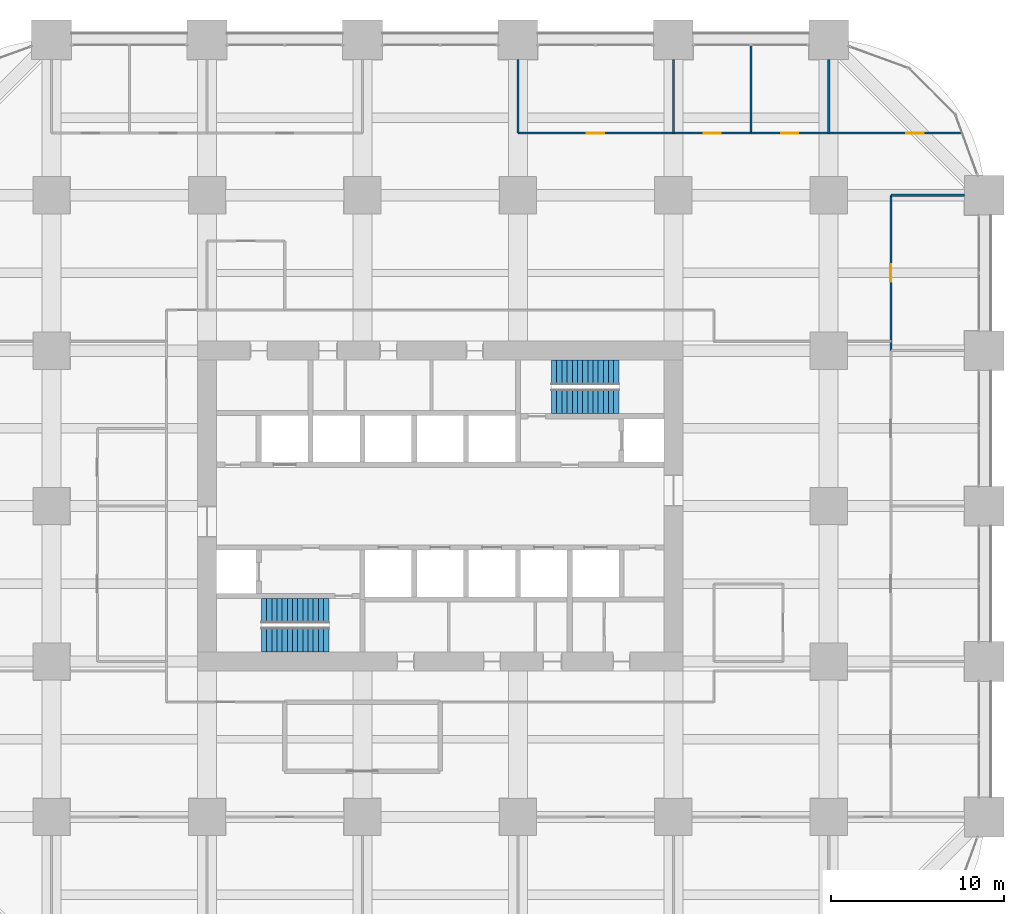
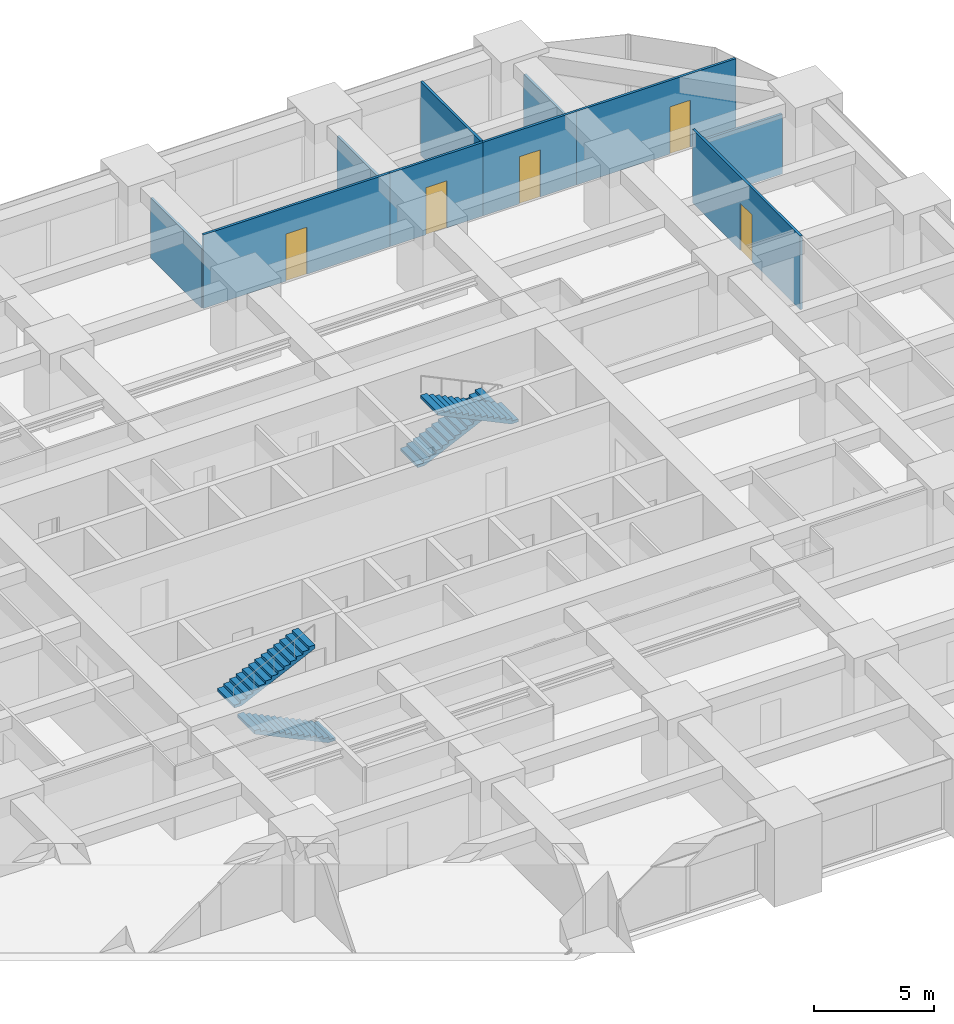
# One storey, part 42 of 44: 10 walls, 5 doors, 4 stair flights, 5 openings, 2 elements without a shape of their own.
"""IFC4 building model written with IfcOpenShell, lengths in metres."""

from ifc_helpers import new_model, si_unit, direction, frame, frame_2d, origin, place, context, subcontext, project, spatial, polyline, rectangle, outline, extrude, material, layer, layer_set, type_object, element, fill, aggregate, save


model = new_model("IFC4")

# Units and contexts
model_context = context("Model", 3, precision=1e-05, world=origin(), true_north=direction((0.0, 1.0)))
body_context = subcontext(model_context, "Body", "Model", "MODEL_VIEW")
ifc_project = project(units=[si_unit("LENGTHUNIT", "METRE"), si_unit("AREAUNIT", "SQUARE_METRE"), si_unit("VOLUMEUNIT", "CUBIC_METRE"), si_unit("PLANEANGLEUNIT", "RADIAN"), si_unit("MASSUNIT", "GRAM", prefix="KILO")], contexts=[model_context])

# Site, building, storey
site_placement = place(None, origin())
site = spatial("IfcSite", under=ifc_project, at=site_placement, CompositionType="ELEMENT")
building_placement = place(site_placement, origin())
building = spatial("IfcBuilding", under=site, at=building_placement, Name="Zorevar Civic Tower", CompositionType="ELEMENT")
storey_placement = place(building_placement, frame((0.0, 0.0, 51.800048828125)))
storey = spatial("IfcBuildingStorey", under=building, at=storey_placement, Name="L12", CompositionType="ELEMENT", Elevation=51.800048828125)

# Wall
ifc_material_1 = material(Name="Gypsum board on steel studs", Category="steel")
ifc_layer = layer(ifc_material_1, 0.1201171875)
ifc_layer_set = layer_set([ifc_layer], Name="Partition 120")
wall_type = type_object("IfcWallType", Name="Partition 120", PredefinedType="PARTITIONING", material=ifc_layer_set)
wall_1_placement = place(storey_placement, frame((57.60009765625, 45.0, 0.0), z_axis=(0.0, 0.0, 1.0), x_axis=(1.0, 0.0, 0.0)))
element("IfcWall", 1, at=wall_1_placement, inside=storey, type_object=wall_type, Name="Partition 120 L12", PredefinedType="PARTITIONING", context=body_context, shape_type="SweptSolid", body=[
    extrude(rectangle(XDim=4.25, YDim=0.1201171875, at=frame_2d((2.125, 0.0))), origin(), (0.0, 0.0, 1.0), 3.050048828125),
])

# Wall, opening, door
wall_2_placement = place(storey_placement, frame((36.0, 48.60009765625, 0.0), z_axis=(0.0, 0.0, 1.0), x_axis=(1.0, 0.0, 0.0)))
wall_2 = element("IfcWall", 2, at=wall_2_placement, inside=storey, type_object=wall_type, Name="Partition 120 L12", PredefinedType="PARTITIONING", context=body_context, shape_type="SweptSolid", body=[
    extrude(rectangle(XDim=9.0, YDim=0.1201171875, at=frame_2d((4.5, 0.0))), origin(), (0.0, 0.0, 1.0), 3.75),
])
opening_1_placement = place(wall_2_placement, frame((4.0, 0.0, 0.0)))
opening_1 = element("IfcOpeningElement", 3, at=opening_1_placement, cuts=wall_2, Name="Opening L12.29", PredefinedType="OPENING", context=body_context, shape_type="SweptSolid", body=[
    extrude(rectangle(XDim=1.0, YDim=2.39990234375, at=frame_2d((0.5, 1.199951171875))), frame((0.0, 0.070068359375, 0.0), z_axis=(0.0, -1.0, 0.0), x_axis=(1.0, 0.0, 0.0)), (0.0, 0.0, 1.0), 0.14013671875),
])
ifc_material_2 = material(Name="Timber door set", Category="wood")
door_type = type_object("IfcDoorType", Name="Door D1 1000x2400", OperationType="SINGLE_SWING_LEFT", PredefinedType="DOOR", material=ifc_material_2)
door_1_placement = place(opening_1_placement, origin())
door_1 = element("IfcDoor", 4, at=door_1_placement, inside=storey, type_object=door_type, Name="Door L12 D1", OperationType="SINGLE_SWING_RIGHT", OverallHeight=2.39990234375, OverallWidth=1.0, PredefinedType="DOOR", context=body_context, shape_type="SweptSolid", body=[
    extrude(rectangle(XDim=1.0, YDim=2.39990234375, at=frame_2d((0.5, 1.199951171875))), frame((0.0, 0.02490234375, 0.0), z_axis=(0.0, -1.0, 0.0), x_axis=(1.0, 0.0, 0.0)), (0.0, 0.0, 1.0), 0.050048828125),
])
fill(opening_1, door_1)

wall_3_placement = place(storey_placement, frame((45.0, 48.60009765625, 0.0), z_axis=(0.0, 0.0, 1.0), x_axis=(1.0, 0.0, 0.0)))
wall_3 = element("IfcWall", 5, at=wall_3_placement, inside=storey, type_object=wall_type, Name="Partition 120 L12", PredefinedType="PARTITIONING", context=body_context, shape_type="SweptSolid", body=[
    extrude(rectangle(XDim=4.5, YDim=0.1201171875, at=frame_2d((2.25, 0.0))), origin(), (0.0, 0.0, 1.0), 3.75),
])
opening_2_placement = place(wall_3_placement, frame((1.75, 0.0, 0.0)))
opening_2 = element("IfcOpeningElement", 6, at=opening_2_placement, cuts=wall_3, Name="Opening L12.30", PredefinedType="OPENING", context=body_context, shape_type="SweptSolid", body=[
    extrude(rectangle(XDim=1.0, YDim=2.39990234375, at=frame_2d((0.5, 1.199951171875))), frame((0.0, 0.070068359375, 0.0), z_axis=(0.0, -1.0, 0.0), x_axis=(1.0, 0.0, 0.0)), (0.0, 0.0, 1.0), 0.14013671875),
])
door_2_placement = place(opening_2_placement, origin())
door_2 = element("IfcDoor", 7, at=door_2_placement, inside=storey, type_object=door_type, Name="Door L12 D1", OperationType="SINGLE_SWING_RIGHT", OverallHeight=2.39990234375, OverallWidth=1.0, PredefinedType="DOOR", context=body_context, shape_type="SweptSolid", body=[
    extrude(rectangle(XDim=1.0, YDim=2.39990234375, at=frame_2d((0.5, 1.199951171875))), frame((0.0, 0.02490234375, 0.0), z_axis=(0.0, -1.0, 0.0), x_axis=(1.0, 0.0, 0.0)), (0.0, 0.0, 1.0), 0.050048828125),
])
fill(opening_2, door_2)

wall_4_placement = place(storey_placement, frame((49.5, 48.60009765625, 0.0), z_axis=(0.0, 0.0, 1.0), x_axis=(1.0, 0.0, 0.0)))
wall_4 = element("IfcWall", 8, at=wall_4_placement, inside=storey, type_object=wall_type, Name="Partition 120 L12", PredefinedType="PARTITIONING", context=body_context, shape_type="SweptSolid", body=[
    extrude(rectangle(XDim=4.5, YDim=0.1201171875, at=frame_2d((2.25, 0.0))), origin(), (0.0, 0.0, 1.0), 3.75),
])
opening_3_placement = place(wall_4_placement, frame((1.75, 0.0, 0.0)))
opening_3 = element("IfcOpeningElement", 9, at=opening_3_placement, cuts=wall_4, Name="Opening L12.31", PredefinedType="OPENING", context=body_context, shape_type="SweptSolid", body=[
    extrude(rectangle(XDim=1.0, YDim=2.39990234375, at=frame_2d((0.5, 1.199951171875))), frame((0.0, 0.070068359375, 0.0), z_axis=(0.0, -1.0, 0.0), x_axis=(1.0, 0.0, 0.0)), (0.0, 0.0, 1.0), 0.14013671875),
])
door_3_placement = place(opening_3_placement, origin())
door_3 = element("IfcDoor", 10, at=door_3_placement, inside=storey, type_object=door_type, Name="Door L12 D1", OperationType="SINGLE_SWING_RIGHT", OverallHeight=2.39990234375, OverallWidth=1.0, PredefinedType="DOOR", context=body_context, shape_type="SweptSolid", body=[
    extrude(rectangle(XDim=1.0, YDim=2.39990234375, at=frame_2d((0.5, 1.199951171875))), frame((0.0, 0.02490234375, 0.0), z_axis=(0.0, -1.0, 0.0), x_axis=(1.0, 0.0, 0.0)), (0.0, 0.0, 1.0), 0.050048828125),
])
fill(opening_3, door_3)

wall_5_placement = place(storey_placement, frame((54.0, 48.60009765625, 0.0), z_axis=(0.0, 0.0, 1.0), x_axis=(1.0, 0.0, 0.0)))
wall_5 = element("IfcWall", 11, at=wall_5_placement, inside=storey, type_object=wall_type, Name="Partition 120 L12", PredefinedType="PARTITIONING", context=body_context, shape_type="SweptSolid", body=[
    extrude(rectangle(XDim=7.68994140625, YDim=0.1201171875, at=frame_2d((3.844970703125, 0.0))), origin(), (0.0, 0.0, 1.0), 3.75),
])
opening_4_placement = place(wall_5_placement, frame((4.5, 0.0, 0.0)))
opening_4 = element("IfcOpeningElement", 12, at=opening_4_placement, cuts=wall_5, Name="Opening L12.32", PredefinedType="OPENING", context=body_context, shape_type="SweptSolid", body=[
    extrude(rectangle(XDim=1.0, YDim=2.39990234375, at=frame_2d((0.5, 1.199951171875))), frame((0.0, 0.070068359375, 0.0), z_axis=(0.0, -1.0, 0.0), x_axis=(1.0, 0.0, 0.0)), (0.0, 0.0, 1.0), 0.14013671875),
])
door_4_placement = place(opening_4_placement, origin())
door_4 = element("IfcDoor", 13, at=door_4_placement, inside=storey, type_object=door_type, Name="Door L12 D1", OperationType="SINGLE_SWING_RIGHT", OverallHeight=2.39990234375, OverallWidth=1.0, PredefinedType="DOOR", context=body_context, shape_type="SweptSolid", body=[
    extrude(rectangle(XDim=1.0, YDim=2.39990234375, at=frame_2d((0.5, 1.199951171875))), frame((0.0, 0.02490234375, 0.0), z_axis=(0.0, -1.0, 0.0), x_axis=(1.0, 0.0, 0.0)), (0.0, 0.0, 1.0), 0.050048828125),
])
fill(opening_4, door_4)

# Walls
for number, where, z_axis, x_axis, name in (
    (14, (36.0, 48.60009765625, 0.0), (0.0, 0.0, 1.0), (0.0, 1.0, 0.0), "Partition 120 L12"),
    (15, (45.0, 48.60009765625, 0.0), (0.0, 0.0, 1.0), (0.0, 1.0, 0.0), "Partition 120 L12"),
):
    element("IfcWall", number, at=place(storey_placement, frame(where, z_axis=z_axis, x_axis=x_axis)), inside=storey, type_object=wall_type, Name=name, PredefinedType="PARTITIONING", context=body_context, shape_type="SweptSolid", body=[
        extrude(rectangle(XDim=4.25, YDim=0.1201171875, at=frame_2d((2.125, 0.0))), origin(), (0.0, 0.0, 1.0), 3.050048828125),
    ])
wall_6_placement = place(storey_placement, frame((49.5, 48.60009765625, 0.0), z_axis=(0.0, 0.0, 1.0), x_axis=(0.0, 1.0, 0.0)))
element("IfcWall", 16, at=wall_6_placement, inside=storey, type_object=wall_type, Name="Partition 120 L12", PredefinedType="PARTITIONING", context=body_context, shape_type="SweptSolid", body=[
    extrude(rectangle(XDim=5.08984375, YDim=0.1201171875, at=frame_2d((2.544921875, 0.0))), origin(), (0.0, 0.0, 1.0), 3.75),
])
wall_7_placement = place(storey_placement, frame((54.0, 48.60009765625, 0.0), z_axis=(0.0, 0.0, 1.0), x_axis=(0.0, 1.0, 0.0)))
element("IfcWall", 17, at=wall_7_placement, inside=storey, type_object=wall_type, Name="Partition 120 L12", PredefinedType="PARTITIONING", context=body_context, shape_type="SweptSolid", body=[
    extrude(rectangle(XDim=4.25, YDim=0.1201171875, at=frame_2d((2.125, 0.0))), origin(), (0.0, 0.0, 1.0), 3.050048828125),
])

# Wall, opening, door
wall_8_placement = place(storey_placement, frame((57.60009765625, 36.0, 0.0), z_axis=(0.0, 0.0, 1.0), x_axis=(0.0, 1.0, 0.0)))
wall_8 = element("IfcWall", 18, at=wall_8_placement, inside=storey, type_object=wall_type, Name="Partition 120 L12", PredefinedType="PARTITIONING", context=body_context, shape_type="SweptSolid", body=[
    extrude(rectangle(XDim=9.0, YDim=0.1201171875, at=frame_2d((4.5, 0.0))), origin(), (0.0, 0.0, 1.0), 3.75),
])
opening_5_placement = place(wall_8_placement, frame((4.0, 0.0, 0.0)))
opening_5 = element("IfcOpeningElement", 19, at=opening_5_placement, cuts=wall_8, Name="Opening L12.40", PredefinedType="OPENING", context=body_context, shape_type="SweptSolid", body=[
    extrude(rectangle(XDim=1.0, YDim=2.39990234375, at=frame_2d((0.5, 1.199951171875))), frame((0.0, 0.070068359375, 0.0), z_axis=(0.0, -1.0, 0.0), x_axis=(1.0, 0.0, 0.0)), (0.0, 0.0, 1.0), 0.14013671875),
])
door_5_placement = place(opening_5_placement, origin())
door_5 = element("IfcDoor", 20, at=door_5_placement, inside=storey, type_object=door_type, Name="Door L12 D1", OperationType="SINGLE_SWING_RIGHT", OverallHeight=2.39990234375, OverallWidth=1.0, PredefinedType="DOOR", context=body_context, shape_type="SweptSolid", body=[
    extrude(rectangle(XDim=1.0, YDim=2.39990234375, at=frame_2d((0.5, 1.199951171875))), frame((0.0, 0.02490234375, 0.0), z_axis=(0.0, -1.0, 0.0), x_axis=(1.0, 0.0, 0.0)), (0.0, 0.0, 1.0), 0.050048828125),
])
fill(opening_5, door_5)

# Stair, stair flights
ifc_material_3 = material(Name="Precast concrete C40/50", Category="concrete")
stair_type = type_object("IfcStairType", Name="Stair ST 28R", PredefinedType="HALF_TURN_STAIR", material=ifc_material_3)
stair_1_placement = place(storey_placement, origin())
stair_1 = element("IfcStair", 21, at=stair_1_placement, inside=storey, type_object=stair_type, Name="Stair ST1 L12", PredefinedType="HALF_TURN_STAIR")
ifc_material_4 = material(Name="Precast concrete C40/50", Category="concrete")
stair_flight_type = type_object("IfcStairFlightType", Name="Stair flight", PredefinedType="STRAIGHT", material=ifc_material_4)
stair_flight_1_placement = place(storey_placement, frame((25.050048828125, 19.262451171875, 0.0), z_axis=(0.0, 0.0, 1.0), x_axis=(-1.0, 0.0, 0.0)))
stair_flight_1 = element("IfcStairFlight", 22, at=stair_flight_1_placement, type_object=stair_flight_type, Name="ST1 flight 1", NumberOfRisers=14, NumberOfTreads=13, PredefinedType="STRAIGHT", RiserHeight=0.142857143, TreadLength=0.3, context=body_context, shape_type="SweptSolid", body=[
    extrude(outline(polyline([(0.0, 0.0), (0.0, 0.142822265625), (0.300048828125, 0.142822265625), (0.300048828125, 0.28564453125), (0.60009765625, 0.28564453125), (0.60009765625, 0.428466796875), (0.89990234375, 0.428466796875), (0.89990234375, 0.571533203125), (1.199951171875, 0.571533203125), (1.199951171875, 0.71435546875), (1.5, 0.71435546875), (1.5, 0.857177734375), (1.800048828125, 0.857177734375), (1.800048828125, 1.0), (2.10009765625, 1.0), (2.10009765625, 1.142822265625), (2.39990234375, 1.142822265625), (2.39990234375, 1.28564453125), (2.699951171875, 1.28564453125), (2.699951171875, 1.428466796875), (3.0, 1.428466796875), (3.0, 1.571533203125), (3.300048828125, 1.571533203125), (3.300048828125, 1.71435546875), (3.60009765625, 1.71435546875), (3.60009765625, 1.857177734375), (3.89990234375, 1.857177734375), (3.89990234375, 2.0), (3.89990234375, 1.691162109375), (0.3486328125, 0.0), (0.0, 0.0)])), frame((0.0, 0.71240234375, 0.0), z_axis=(0.0, -1.0, 0.0), x_axis=(1.0, 0.0, 0.0)), (0.0, 0.0, 1.0), 1.425048828125),
])
stair_flight_2_placement = place(storey_placement, frame((21.14990234375, 20.9375, 2.0), z_axis=(0.0, 0.0, 1.0), x_axis=(1.0, 0.0, 0.0)))
stair_flight_2 = element("IfcStairFlight", 23, at=stair_flight_2_placement, type_object=stair_flight_type, Name="ST1 flight 2", NumberOfRisers=14, NumberOfTreads=13, PredefinedType="STRAIGHT", RiserHeight=0.142857143, TreadLength=0.3, context=body_context, shape_type="SweptSolid", body=[
    extrude(outline(polyline([(0.0, 0.0), (0.0, 0.142822265625), (0.300048828125, 0.142822265625), (0.300048828125, 0.28564453125), (0.60009765625, 0.28564453125), (0.60009765625, 0.428466796875), (0.89990234375, 0.428466796875), (0.89990234375, 0.571533203125), (1.199951171875, 0.571533203125), (1.199951171875, 0.71435546875), (1.5, 0.71435546875), (1.5, 0.857177734375), (1.800048828125, 0.857177734375), (1.800048828125, 1.0), (2.10009765625, 1.0), (2.10009765625, 1.142822265625), (2.39990234375, 1.142822265625), (2.39990234375, 1.28564453125), (2.699951171875, 1.28564453125), (2.699951171875, 1.428466796875), (3.0, 1.428466796875), (3.0, 1.571533203125), (3.300048828125, 1.571533203125), (3.300048828125, 1.71435546875), (3.60009765625, 1.71435546875), (3.60009765625, 1.857177734375), (3.89990234375, 1.857177734375), (3.89990234375, 2.0), (3.89990234375, 1.691162109375), (0.3486328125, 0.0), (0.0, 0.0)])), frame((0.0, 0.71240234375, 0.0), z_axis=(0.0, -1.0, 0.0), x_axis=(1.0, 0.0, 0.0)), (0.0, 0.0, 1.0), 1.425048828125),
])
aggregate(stair_1, [stair_flight_1, stair_flight_2])

stair_2_placement = place(storey_placement, origin())
stair_2 = element("IfcStair", 24, at=stair_2_placement, inside=storey, type_object=stair_type, Name="Stair ST2 L12", PredefinedType="HALF_TURN_STAIR")
stair_flight_3_placement = place(storey_placement, frame((37.949951171875, 34.737548828125, 0.0), z_axis=(0.0, 0.0, 1.0), x_axis=(1.0, 0.0, 0.0)))
stair_flight_3 = element("IfcStairFlight", 25, at=stair_flight_3_placement, type_object=stair_flight_type, Name="ST2 flight 1", NumberOfRisers=14, NumberOfTreads=13, PredefinedType="STRAIGHT", RiserHeight=0.142857143, TreadLength=0.3, context=body_context, shape_type="SweptSolid", body=[
    extrude(outline(polyline([(0.0, 0.0), (0.0, 0.142822265625), (0.300048828125, 0.142822265625), (0.300048828125, 0.28564453125), (0.60009765625, 0.28564453125), (0.60009765625, 0.428466796875), (0.89990234375, 0.428466796875), (0.89990234375, 0.571533203125), (1.199951171875, 0.571533203125), (1.199951171875, 0.71435546875), (1.5, 0.71435546875), (1.5, 0.857177734375), (1.800048828125, 0.857177734375), (1.800048828125, 1.0), (2.10009765625, 1.0), (2.10009765625, 1.142822265625), (2.39990234375, 1.142822265625), (2.39990234375, 1.28564453125), (2.699951171875, 1.28564453125), (2.699951171875, 1.428466796875), (3.0, 1.428466796875), (3.0, 1.571533203125), (3.300048828125, 1.571533203125), (3.300048828125, 1.71435546875), (3.60009765625, 1.71435546875), (3.60009765625, 1.857177734375), (3.89990234375, 1.857177734375), (3.89990234375, 2.0), (3.89990234375, 1.691162109375), (0.3486328125, 0.0), (0.0, 0.0)])), frame((0.0, 0.71240234375, 0.0), z_axis=(0.0, -1.0, 0.0), x_axis=(1.0, 0.0, 0.0)), (0.0, 0.0, 1.0), 1.425048828125),
])
stair_flight_4_placement = place(storey_placement, frame((41.85009765625, 33.0625, 2.0), z_axis=(0.0, 0.0, 1.0), x_axis=(-1.0, 0.0, 0.0)))
stair_flight_4 = element("IfcStairFlight", 26, at=stair_flight_4_placement, type_object=stair_flight_type, Name="ST2 flight 2", NumberOfRisers=14, NumberOfTreads=13, PredefinedType="STRAIGHT", RiserHeight=0.142857143, TreadLength=0.3, context=body_context, shape_type="SweptSolid", body=[
    extrude(outline(polyline([(0.0, 0.0), (0.0, 0.142822265625), (0.300048828125, 0.142822265625), (0.300048828125, 0.28564453125), (0.60009765625, 0.28564453125), (0.60009765625, 0.428466796875), (0.89990234375, 0.428466796875), (0.89990234375, 0.571533203125), (1.199951171875, 0.571533203125), (1.199951171875, 0.71435546875), (1.5, 0.71435546875), (1.5, 0.857177734375), (1.800048828125, 0.857177734375), (1.800048828125, 1.0), (2.10009765625, 1.0), (2.10009765625, 1.142822265625), (2.39990234375, 1.142822265625), (2.39990234375, 1.28564453125), (2.699951171875, 1.28564453125), (2.699951171875, 1.428466796875), (3.0, 1.428466796875), (3.0, 1.571533203125), (3.300048828125, 1.571533203125), (3.300048828125, 1.71435546875), (3.60009765625, 1.71435546875), (3.60009765625, 1.857177734375), (3.89990234375, 1.857177734375), (3.89990234375, 2.0), (3.89990234375, 1.691162109375), (0.3486328125, 0.0), (0.0, 0.0)])), frame((0.0, 0.71240234375, 0.0), z_axis=(0.0, -1.0, 0.0), x_axis=(1.0, 0.0, 0.0)), (0.0, 0.0, 1.0), 1.425048828125),
])
aggregate(stair_2, [stair_flight_3, stair_flight_4])

save(model, "model.ifc")
